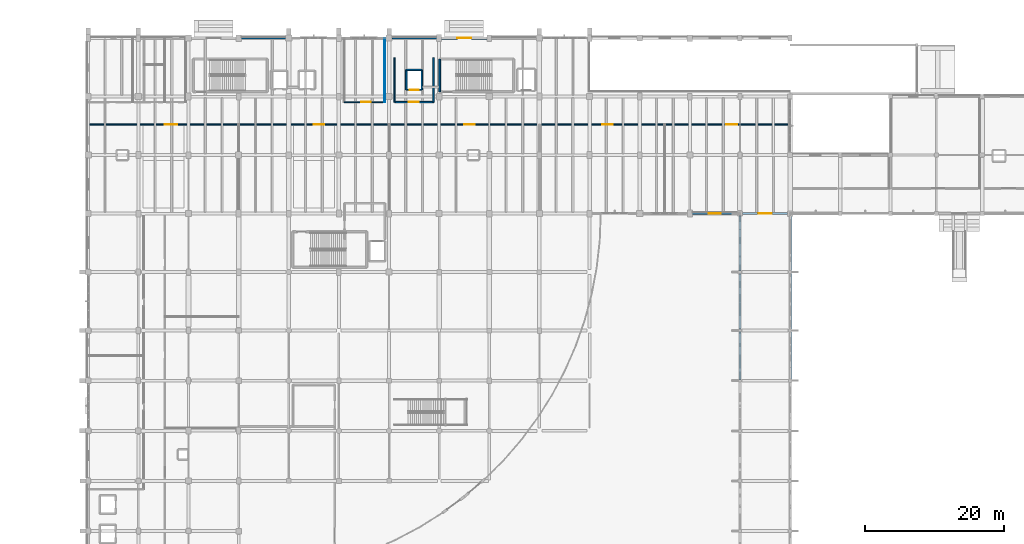
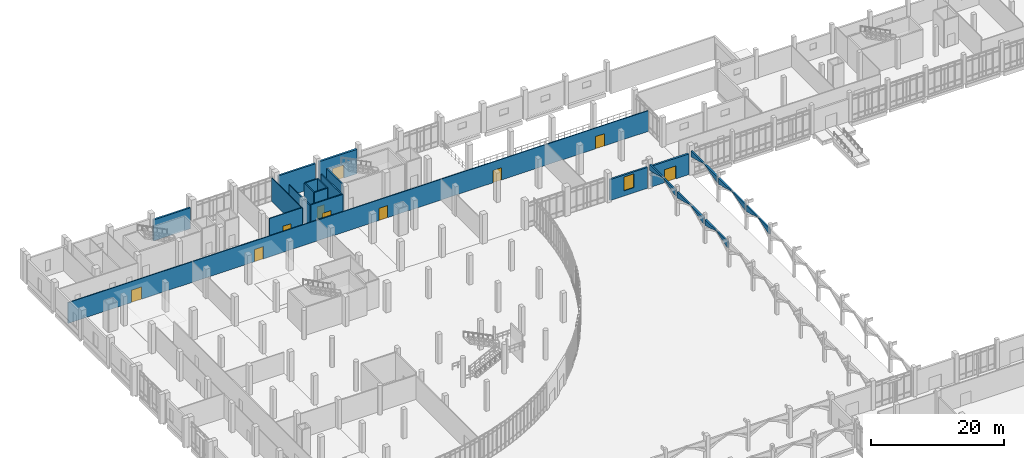
# One storey, part 94 of 110: 22 walls, 10 doors, 1 window, 11 openings.
"""IFC4 building model written with IfcOpenShell, lengths in metres."""

from ifc_helpers import new_model, si_unit, direction, frame, frame_2d, origin, place, context, subcontext, project, spatial, polyline, rectangle, outline, extrude, material, layer, layer_set, type_object, element, fill, save


model = new_model("IFC4")

# Units and contexts
model_context = context("Model", 3, precision=1e-05, world=origin(), true_north=direction((0.0, 1.0)))
body_context = subcontext(model_context, "Body", "Model", "MODEL_VIEW")
ifc_project = project(units=[si_unit("LENGTHUNIT", "METRE"), si_unit("AREAUNIT", "SQUARE_METRE"), si_unit("VOLUMEUNIT", "CUBIC_METRE"), si_unit("PLANEANGLEUNIT", "RADIAN"), si_unit("MASSUNIT", "GRAM", prefix="KILO")], contexts=[model_context])

# Site, building, storey
site_placement = place(None, origin())
site = spatial("IfcSite", under=ifc_project, at=site_placement, CompositionType="ELEMENT")
building_placement = place(site_placement, origin())
building = spatial("IfcBuilding", under=site, at=building_placement, Name="Kalluvel Institute of Natural Sciences", CompositionType="ELEMENT")
storey_placement = place(building_placement, origin())
storey = spatial("IfcBuildingStorey", under=building, at=storey_placement, Name="L00", CompositionType="ELEMENT", Elevation=0.0)

# Walls
ifc_material_1 = material(Name="Concrete M40", Category="concrete")
ifc_layer_1 = layer(ifc_material_1, 0.25)
ifc_layer_set_1 = layer_set([ifc_layer_1], Name="Concrete M40")
wall_type_1 = type_object("IfcWallType", Name="WL-CORE-250", PredefinedType="SHEAR", material=ifc_layer_set_1)
wall_1_placement = place(storey_placement, frame((64.485107421875, 124.985107421875, 0.0), z_axis=(0.0, 0.0, 1.0), x_axis=(0.0, -1.0, 0.0)))
element("IfcWall", 1, at=wall_1_placement, inside=storey, type_object=wall_type_1, Name="ST2 L00 core wall W", PredefinedType="SHEAR", context=body_context, shape_type="SweptSolid", body=[
    extrude(rectangle(XDim=4.7001953125, YDim=0.25, at=frame_2d((2.35009765625, 0.0))), origin(), (0.0, 0.0, 1.0), 5.074951171875),
])
ifc_material_2 = material(Name="Sadarahalli Grey Granite Ashlar Concrete M40", Category="masonry")
ifc_layer_2 = layer(ifc_material_2, 0.280029296875)
ifc_layer_set_2 = layer_set([ifc_layer_2], Name="Sadarahalli Grey Granite Ashlar Concrete M40")
wall_type_2 = type_object("IfcWallType", Name="WL-EXT-280", PredefinedType="SOLIDWALL", material=ifc_layer_set_2)
wall_2_placement = place(storey_placement, frame((107.60009765625, 78.965087890625, 3.300048828125), z_axis=(0.0, 0.0, 1.0), x_axis=(0.0, 1.0, 0.0)))
element("IfcWall", 2, at=wall_2_placement, inside=storey, type_object=wall_type_2, Name="Gothic cloister pointed-lancet arch spandrel 31", PredefinedType="SOLIDWALL", context=body_context, shape_type="SweptSolid", body=[
    extrude(outline(polyline([(0.0, 0.0), (1.77978515625, 0.52001953125), (3.422607421875, 1.06005859375), (5.065185546875, 0.52001953125), (6.844970703125, 0.0), (6.844970703125, 1.119873046875), (0.0, 1.119873046875), (0.0, 0.0)])), frame((0.0, 0.14013671875, 0.0), z_axis=(0.0, -1.0, 0.0), x_axis=(1.0, 0.0, 0.0)), (0.0, 0.0, 1.0), 0.280029296875),
])
wall_3_placement = place(storey_placement, frame((114.800048828125, 79.014892578125, 3.300048828125), z_axis=(0.0, 0.0, 1.0), x_axis=(0.0, 1.0, 0.0)))
element("IfcWall", 3, at=wall_3_placement, inside=storey, type_object=wall_type_2, Name="Gothic cloister pointed-lancet arch spandrel 32", PredefinedType="SOLIDWALL", context=body_context, shape_type="SweptSolid", body=[
    extrude(outline(polyline([(0.0, 0.0), (1.773193359375, 0.52001953125), (3.409912109375, 1.06005859375), (5.046875, 0.52001953125), (6.820068359375, 0.0), (6.820068359375, 1.119873046875), (0.0, 1.119873046875), (0.0, 0.0)])), frame((0.0, 0.14013671875, 0.0), z_axis=(0.0, -1.0, 0.0), x_axis=(1.0, 0.0, 0.0)), (0.0, 0.0, 1.0), 0.280029296875),
])
wall_4_placement = place(storey_placement, frame((107.60009765625, 86.18994140625, 3.300048828125), z_axis=(0.0, 0.0, 1.0), x_axis=(0.0, 1.0, 0.0)))
element("IfcWall", 4, at=wall_4_placement, inside=storey, type_object=wall_type_2, Name="Gothic cloister pointed-lancet arch spandrel 33", PredefinedType="SOLIDWALL", context=body_context, shape_type="SweptSolid", body=[
    extrude(outline(polyline([(0.0, 0.0), (2.07861328125, 0.52001953125), (3.99755859375, 1.06005859375), (5.916259765625, 0.52001953125), (7.9951171875, 0.0), (7.9951171875, 1.119873046875), (0.0, 1.119873046875), (0.0, 0.0)])), frame((0.0, 0.14013671875, 0.0), z_axis=(0.0, -1.0, 0.0), x_axis=(1.0, 0.0, 0.0)), (0.0, 0.0, 1.0), 0.280029296875),
])
wall_5_placement = place(storey_placement, frame((114.800048828125, 86.1650390625, 3.300048828125), z_axis=(0.0, 0.0, 1.0), x_axis=(0.0, 1.0, 0.0)))
element("IfcWall", 5, at=wall_5_placement, inside=storey, type_object=wall_type_2, Name="Gothic cloister pointed-lancet arch spandrel 34", PredefinedType="SOLIDWALL", context=body_context, shape_type="SweptSolid", body=[
    extrude(outline(polyline([(0.0, 0.0), (2.091796875, 0.52001953125), (4.0224609375, 1.06005859375), (5.953369140625, 0.52001953125), (8.044921875, 0.0), (8.044921875, 1.119873046875), (0.0, 1.119873046875), (0.0, 0.0)])), frame((0.0, 0.14013671875, 0.0), z_axis=(0.0, -1.0, 0.0), x_axis=(1.0, 0.0, 0.0)), (0.0, 0.0, 1.0), 0.280029296875),
])
for number, where, z_axis, x_axis, name in (
    (6, (107.60009765625, 94.614990234375, 3.300048828125), (0.0, 0.0, 1.0), (0.0, 1.0, 0.0), "Gothic cloister pointed-lancet arch spandrel 35"),
    (7, (114.800048828125, 94.590087890625, 3.300048828125), (0.0, 0.0, 1.0), (0.0, 1.0, 0.0), "Gothic cloister pointed-lancet arch spandrel 36"),
):
    element("IfcWall", number, at=place(storey_placement, frame(where, z_axis=z_axis, x_axis=x_axis)), inside=storey, type_object=wall_type_2, Name=name, PredefinedType="SOLIDWALL", context=body_context, shape_type="SweptSolid", body=[
        extrude(outline(polyline([(0.0, 0.0), (2.039794921875, 0.52001953125), (3.922607421875, 1.06005859375), (5.805419921875, 0.52001953125), (7.844970703125, 0.0), (7.844970703125, 1.119873046875), (0.0, 1.119873046875), (0.0, 0.0)])), frame((0.0, 0.14013671875, 0.0), z_axis=(0.0, -1.0, 0.0), x_axis=(1.0, 0.0, 0.0)), (0.0, 0.0, 1.0), 0.280029296875),
    ])

# Wall, opening, window
ifc_layer_3 = layer(ifc_material_2, 0.300048828125)
ifc_layer_set_3 = layer_set([ifc_layer_3], Name="Sadarahalli Grey Granite Ashlar Concrete M40")
wall_type_3 = type_object("IfcWallType", Name="WL-EXT-300", PredefinedType="SOLIDWALL", material=ifc_layer_set_3)
wall_6_placement = place(storey_placement, frame((100.72998046875, 102.800048828125, 0.0), z_axis=(0.0, 0.0, 1.0), x_axis=(1.0, 0.0, 0.0)))
wall_6 = element("IfcWall", 8, at=wall_6_placement, inside=storey, type_object=wall_type_3, Name="L00 Sadarahalli granite exterior wall WL-EXT-L00-0012", PredefinedType="SOLIDWALL", context=body_context, shape_type="SweptSolid", body=[
    extrude(rectangle(XDim=6.51513671875, YDim=0.300048828125, at=frame_2d((3.257568359375, 0.0))), origin(), (0.0, 0.0, 1.0), 3.85498046875),
])
opening_1_placement = place(wall_6_placement, frame((2.407470703125, 0.0, 0.949951171875)))
opening_1 = element("IfcOpeningElement", 9, at=opening_1_placement, cuts=wall_6, Name="Opening W-19", PredefinedType="OPENING", context=body_context, shape_type="SweptSolid", body=[
    extrude(rectangle(XDim=1.699951171875, YDim=2.550048828125, at=frame_2d((0.85009765625, 1.27490234375))), frame((0.0, 0.159912109375, 0.0), z_axis=(0.0, -1.0, 0.0), x_axis=(1.0, 0.0, 0.0)), (0.0, 0.0, 1.0), 0.320068359375),
])
ifc_material_3 = material(Name="Solar-Control Low-E Laminated Glass", Category="glass")
window_type = type_object("IfcWindowType", Name="WN-LAN-170x255", PartitioningType="SINGLE_PANEL", PredefinedType="WINDOW", material=ifc_material_3)
window_placement = place(opening_1_placement, origin())
window = element("IfcWindow", 10, at=window_placement, inside=storey, type_object=window_type, Name="L00 Gothic lancet window 7", OverallHeight=2.550048828125, OverallWidth=1.699951171875, PartitioningType="SINGLE_PANEL", PredefinedType="WINDOW", context=body_context, shape_type="SweptSolid", body=[
    extrude(rectangle(XDim=1.699951171875, YDim=2.550048828125, at=frame_2d((0.85009765625, 1.27490234375))), frame((0.0, 0.030029296875, 0.0), z_axis=(0.0, -1.0, 0.0), x_axis=(1.0, 0.0, 0.0)), (0.0, 0.0, 1.0), 0.06005859375),
])
fill(opening_1, window)

# Walls
ifc_layer_4 = layer(ifc_material_2, 0.320068359375)
ifc_layer_set_4 = layer_set([ifc_layer_4], Name="Sadarahalli Grey Granite Ashlar Concrete M40")
wall_type_4 = type_object("IfcWallType", Name="WL-EXT-320", PredefinedType="SOLIDWALL", material=ifc_layer_set_4)
wall_7_placement = place(storey_placement, frame((35.955078125, 128.0, 0.0), z_axis=(0.0, 0.0, 1.0), x_axis=(1.0, 0.0, 0.0)))
element("IfcWall", 11, at=wall_7_placement, inside=storey, type_object=wall_type_4, Name="L00 Sadarahalli granite exterior wall WL-EXT-L00-0004", PredefinedType="SOLIDWALL", context=body_context, shape_type="SweptSolid", body=[
    extrude(rectangle(XDim=6.4150390625, YDim=0.320068359375, at=frame_2d((3.20751953125, 0.0))), origin(), (0.0, 0.0, 1.0), 3.85498046875),
])
wall_8_placement = place(storey_placement, frame((57.6298828125, 128.0, 0.0), z_axis=(0.0, 0.0, 1.0), x_axis=(1.0, 0.0, 0.0)))
element("IfcWall", 12, at=wall_8_placement, inside=storey, type_object=wall_type_4, Name="L00 Sadarahalli granite exterior wall WL-EXT-L00-0005", PredefinedType="SOLIDWALL", context=body_context, shape_type="SweptSolid", body=[
    extrude(rectangle(XDim=6.440185546875, YDim=0.320068359375, at=frame_2d((3.22021484375, 0.0))), origin(), (0.0, 0.0, 1.0), 4.35498046875),
])

# Wall, opening, door
wall_9_placement = place(storey_placement, frame((107.955078125, 102.800048828125, 0.0), z_axis=(0.0, 0.0, 1.0), x_axis=(1.0, 0.0, 0.0)))
wall_9 = element("IfcWall", 13, at=wall_9_placement, inside=storey, type_object=wall_type_4, Name="L00 Sadarahalli granite exterior wall WL-EXT-L00-0013", PredefinedType="SOLIDWALL", context=body_context, shape_type="SweptSolid", body=[
    extrude(rectangle(XDim=6.46484375, YDim=0.320068359375, at=frame_2d((3.232421875, 0.0))), origin(), (0.0, 0.0, 1.0), 3.81494140625),
])
opening_2_placement = place(wall_9_placement, frame((2.232421875, 0.0, 0.0)))
opening_2 = element("IfcOpeningElement", 14, at=opening_2_placement, cuts=wall_9, Name="Opening E12", PredefinedType="OPENING", context=body_context, shape_type="SweptSolid", body=[
    extrude(rectangle(XDim=2.0, YDim=2.39990234375, at=frame_2d((1.0, 1.199951171875))), frame((0.0, 0.169921875, 0.0), z_axis=(0.0, -1.0, 0.0), x_axis=(1.0, 0.0, 0.0)), (0.0, 0.0, 1.0), 0.340087890625),
])
ifc_material_4 = material(Name="Aluminium AW-6063 T6", Category="aluminium")
door_type_1 = type_object("IfcDoorType", Name="DR-EXT-2000", OperationType="NOTDEFINED", PredefinedType="DOOR", material=ifc_material_4)
door_1_placement = place(opening_2_placement, origin())
door_1 = element("IfcDoor", 15, at=door_1_placement, inside=storey, type_object=door_type_1, Name="East Cloister North Entrance Door E12", OperationType="DOUBLE_DOOR_SINGLE_SWING", OverallHeight=2.39990234375, OverallWidth=2.0, PredefinedType="DOOR", context=body_context, shape_type="SweptSolid", body=[
    extrude(rectangle(XDim=2.0, YDim=2.39990234375, at=frame_2d((1.0, 1.199951171875))), frame((0.0, 0.02490234375, 0.0), z_axis=(0.0, -1.0, 0.0), x_axis=(1.0, 0.0, 0.0)), (0.0, 0.0, 1.0), 0.050048828125),
])
fill(opening_2, door_1)

ifc_layer_5 = layer(ifc_material_2, 0.360107421875)
ifc_layer_set_5 = layer_set([ifc_layer_5], Name="Sadarahalli Grey Granite Ashlar Concrete M40")
wall_type_5 = type_object("IfcWallType", Name="WL-EXT-360", PredefinedType="SOLIDWALL", material=ifc_layer_set_5)
wall_10_placement = place(storey_placement, frame((64.72998046875, 128.0, 0.0), z_axis=(0.0, 0.0, 1.0), x_axis=(1.0, 0.0, 0.0)))
wall_10 = element("IfcWall", 16, at=wall_10_placement, inside=storey, type_object=wall_type_5, Name="L00 Sadarahalli granite exterior wall WL-EXT-L00-0006", PredefinedType="SOLIDWALL", context=body_context, shape_type="SweptSolid", body=[
    extrude(rectangle(XDim=6.56494140625, YDim=0.360107421875, at=frame_2d((3.282470703125, 0.0))), origin(), (0.0, 0.0, 1.0), 4.47998046875),
])
opening_3_placement = place(wall_10_placement, frame((2.282470703125, 0.0, 0.0)))
opening_3 = element("IfcOpeningElement", 17, at=opening_3_placement, cuts=wall_10, Name="Opening E2", PredefinedType="OPENING", context=body_context, shape_type="SweptSolid", body=[
    extrude(rectangle(XDim=2.0, YDim=2.39990234375, at=frame_2d((1.0, 1.199951171875))), frame((0.0, 0.18994140625, 0.0), z_axis=(0.0, -1.0, 0.0), x_axis=(1.0, 0.0, 0.0)), (0.0, 0.0, 1.0), 0.380126953125),
])
door_2_placement = place(opening_3_placement, origin())
door_2 = element("IfcDoor", 18, at=door_2_placement, inside=storey, type_object=door_type_1, Name="Pedestrian exit door E2", OperationType="DOUBLE_DOOR_SINGLE_SWING", OverallHeight=2.39990234375, OverallWidth=2.0, PredefinedType="DOOR", context=body_context, shape_type="SweptSolid", body=[
    extrude(rectangle(XDim=2.0, YDim=2.39990234375, at=frame_2d((1.0, 1.199951171875))), frame((0.0, 0.02490234375, 0.0), z_axis=(0.0, -1.0, 0.0), x_axis=(1.0, 0.0, 0.0)), (0.0, 0.0, 1.0), 0.050048828125),
])
fill(opening_3, door_2)

# Wall
ifc_material_5 = material(Name="Autoclaved Aerated Concrete Masonry Block", Category="masonry")
ifc_layer_6 = layer(ifc_material_5, 0.179931640625)
ifc_layer_set_6 = layer_set([ifc_layer_6], Name="Autoclaved Aerated Concrete Masonry Block")
wall_type_6 = type_object("IfcWallType", Name="WL-FIRE-180", PredefinedType="SOLIDWALL", material=ifc_layer_set_6)
wall_11_placement = place(storey_placement, frame((58.0, 118.800048828125, 0.0), z_axis=(0.0, 0.0, 1.0), x_axis=(0.0, 1.0, 0.0)))
element("IfcWall", 19, at=wall_11_placement, inside=storey, type_object=wall_type_6, Name="L00 interior fire wall WL-INT-L00-0028", PredefinedType="SOLIDWALL", context=body_context, shape_type="SweptSolid", body=[
    extrude(rectangle(XDim=6.39990234375, YDim=0.179931640625, at=frame_2d((3.199951171875, 0.0))), origin(), (0.0, 0.0, 1.0), 4.260009765625),
])

# Wall, opening, door
ifc_layer_7 = layer(ifc_material_5, 0.199951171875)
ifc_layer_set_7 = layer_set([ifc_layer_7], Name="Autoclaved Aerated Concrete Masonry Block")
wall_type_7 = type_object("IfcWallType", Name="WL-FIRE-200", PredefinedType="SOLIDWALL", material=ifc_layer_set_7)
wall_12_placement = place(storey_placement, frame((58.0, 118.800048828125, 0.0), z_axis=(0.0, 0.0, 1.0), x_axis=(1.0, 0.0, 0.0)))
wall_12 = element("IfcWall", 20, at=wall_12_placement, inside=storey, type_object=wall_type_7, Name="L00 interior fire wall WL-INT-L00-0027", PredefinedType="SOLIDWALL", context=body_context, shape_type="SweptSolid", body=[
    extrude(rectangle(XDim=5.60009765625, YDim=0.199951171875, at=frame_2d((2.800048828125, 0.0))), origin(), (0.0, 0.0, 1.0), 4.43994140625),
])
opening_4_placement = place(wall_12_placement, frame((2.0, 0.0, 0.0)))
opening_4 = element("IfcOpeningElement", 21, at=opening_4_placement, cuts=wall_12, Name="Opening D-062", PredefinedType="OPENING", context=body_context, shape_type="SweptSolid", body=[
    extrude(rectangle(XDim=1.5, YDim=2.199951171875, at=frame_2d((0.75, 1.10009765625))), frame((0.0, 0.10986328125, 0.0), z_axis=(0.0, -1.0, 0.0), x_axis=(1.0, 0.0, 0.0)), (0.0, 0.0, 1.0), 0.219970703125),
])
ifc_material_6 = material(Name="Galvanized Fire-Rated Steel", Category="steel")
door_type_2 = type_object("IfcDoorType", Name="DR-FD60-1500", OperationType="NOTDEFINED", PredefinedType="DOOR", material=ifc_material_6)
door_3_placement = place(opening_4_placement, origin())
door_3 = element("IfcDoor", 22, at=door_3_placement, inside=storey, type_object=door_type_2, Name="L00 FF1 door D-062", OperationType="DOUBLE_DOOR_SINGLE_SWING", OverallHeight=2.199951171875, OverallWidth=1.5, PredefinedType="DOOR", context=body_context, shape_type="SweptSolid", body=[
    extrude(rectangle(XDim=1.5, YDim=2.199951171875, at=frame_2d((0.75, 1.10009765625))), frame((0.0, 0.02490234375, 0.0), z_axis=(0.0, -1.0, 0.0), x_axis=(1.0, 0.0, 0.0)), (0.0, 0.0, 1.0), 0.050048828125),
])
fill(opening_4, door_3)

# Walls
wall_13_placement = place(storey_placement, frame((63.60009765625, 118.800048828125, 0.0), z_axis=(0.0, 0.0, 1.0), x_axis=(0.0, 1.0, 0.0)))
element("IfcWall", 23, at=wall_13_placement, inside=storey, type_object=wall_type_7, Name="L00 interior fire wall WL-INT-L00-0029", PredefinedType="SOLIDWALL", context=body_context, shape_type="SweptSolid", body=[
    extrude(rectangle(XDim=6.39990234375, YDim=0.199951171875, at=frame_2d((3.199951171875, 0.0))), origin(), (0.0, 0.0, 1.0), 4.260009765625),
])
ifc_material_7 = material(Name="Acoustic Gypsum Twin-Stud Partition", Category="gypsum")
ifc_layer_8 = layer(ifc_material_7, 0.1201171875)
ifc_layer_set_8 = layer_set([ifc_layer_8], Name="Acoustic Gypsum Twin-Stud Partition")
wall_type_8 = type_object("IfcWallType", Name="WL-PART-120", PredefinedType="PARTITIONING", material=ifc_layer_set_8)
wall_14_placement = place(storey_placement, frame((56.60009765625, 118.800048828125, 0.0), z_axis=(0.0, 0.0, 1.0), x_axis=(0.0, 1.0, 0.0)))
element("IfcWall", 24, at=wall_14_placement, inside=storey, type_object=wall_type_8, Name="L00 interior partition wall WL-INT-L00-0041", PredefinedType="PARTITIONING", context=body_context, shape_type="SweptSolid", body=[
    extrude(rectangle(XDim=9.199951171875, YDim=0.1201171875, at=frame_2d((4.60009765625, 0.0))), origin(), (0.0, 0.0, 1.0), 4.31005859375),
])

# Wall, opening, door
ifc_layer_9 = layer(ifc_material_5, 0.159912109375)
ifc_layer_set_9 = layer_set([ifc_layer_9], Name="Autoclaved Aerated Concrete Masonry Block")
wall_type_9 = type_object("IfcWallType", Name="WL-PART-160", PredefinedType="PARTITIONING", material=ifc_layer_set_9)
wall_15_placement = place(storey_placement, frame((50.800048828125, 118.800048828125, 0.0), z_axis=(0.0, 0.0, 1.0), x_axis=(1.0, 0.0, 0.0)))
wall_15 = element("IfcWall", 25, at=wall_15_placement, inside=storey, type_object=wall_type_9, Name="L00 interior partition wall WL-INT-L00-0039", PredefinedType="PARTITIONING", context=body_context, shape_type="SweptSolid", body=[
    extrude(rectangle(XDim=5.800048828125, YDim=0.159912109375, at=frame_2d((2.89990234375, 0.0))), origin(), (0.0, 0.0, 1.0), 4.43994140625),
])
opening_5_placement = place(wall_15_placement, frame((2.39990234375, 0.0, 0.0)))
opening_5 = element("IfcOpeningElement", 26, at=opening_5_placement, cuts=wall_15, Name="Opening D-067", PredefinedType="OPENING", context=body_context, shape_type="SweptSolid", body=[
    extrude(rectangle(XDim=1.35009765625, YDim=2.199951171875, at=frame_2d((0.675048828125, 1.10009765625))), frame((0.0, 0.08984375, 0.0), z_axis=(0.0, -1.0, 0.0), x_axis=(1.0, 0.0, 0.0)), (0.0, 0.0, 1.0), 0.179931640625),
])
door_type_3 = type_object("IfcDoorType", Name="DR-INT-1350", OperationType="NOTDEFINED", PredefinedType="DOOR", material=ifc_material_4)
door_4_placement = place(opening_5_placement, origin())
door_4 = element("IfcDoor", 27, at=door_4_placement, inside=storey, type_object=door_type_3, Name="L00 North Write-Up door D-067", OperationType="SINGLE_SWING_RIGHT", OverallHeight=2.199951171875, OverallWidth=1.35009765625, PredefinedType="DOOR", context=body_context, shape_type="SweptSolid", body=[
    extrude(rectangle(XDim=1.35009765625, YDim=2.199951171875, at=frame_2d((0.675048828125, 1.10009765625))), frame((0.0, 0.02490234375, 0.0), z_axis=(0.0, -1.0, 0.0), x_axis=(1.0, 0.0, 0.0)), (0.0, 0.0, 1.0), 0.050048828125),
])
fill(opening_5, door_4)

# Wall, openings, doors
wall_16_placement = place(storey_placement, frame((14.0, 115.60009765625, 0.0), z_axis=(0.0, 0.0, 1.0), x_axis=(1.0, 0.0, 0.0)))
wall_16 = element("IfcWall", 28, at=wall_16_placement, inside=storey, type_object=wall_type_9, Name="L00 interior partition wall WL-INT-L00-0042", PredefinedType="PARTITIONING", context=body_context, shape_type="SweptSolid", body=[
    extrude(rectangle(XDim=100.800048828125, YDim=0.159912109375, at=frame_2d((50.39990234375, 0.0))), origin(), (0.0, 0.0, 1.0), 3.820068359375),
])
opening_6_placement = place(wall_16_placement, frame((11.0, 0.0, 0.0)))
opening_6 = element("IfcOpeningElement", 29, at=opening_6_placement, cuts=wall_16, Name="Opening D-068", PredefinedType="OPENING", context=body_context, shape_type="SweptSolid", body=[
    extrude(rectangle(XDim=1.75, YDim=2.25, at=frame_2d((0.875, 1.125))), frame((0.0, 0.08984375, 0.0), z_axis=(0.0, -1.0, 0.0), x_axis=(1.0, 0.0, 0.0)), (0.0, 0.0, 1.0), 0.179931640625),
])
opening_7_placement = place(wall_16_placement, frame((32.39990234375, 0.0, 0.0)))
opening_7 = element("IfcOpeningElement", 30, at=opening_7_placement, cuts=wall_16, Name="Opening D-069", PredefinedType="OPENING", context=body_context, shape_type="SweptSolid", body=[
    extrude(rectangle(XDim=1.5, YDim=2.25, at=frame_2d((0.75, 1.125))), frame((0.0, 0.08984375, 0.0), z_axis=(0.0, -1.0, 0.0), x_axis=(1.0, 0.0, 0.0)), (0.0, 0.0, 1.0), 0.179931640625),
])
opening_8_placement = place(wall_16_placement, frame((54.0, 0.0, 0.0)))
opening_8 = element("IfcOpeningElement", 31, at=opening_8_placement, cuts=wall_16, Name="Opening D-070", PredefinedType="OPENING", context=body_context, shape_type="SweptSolid", body=[
    extrude(rectangle(XDim=1.5, YDim=2.25, at=frame_2d((0.75, 1.125))), frame((0.0, 0.08984375, 0.0), z_axis=(0.0, -1.0, 0.0), x_axis=(1.0, 0.0, 0.0)), (0.0, 0.0, 1.0), 0.179931640625),
])
opening_9_placement = place(wall_16_placement, frame((73.800048828125, 0.0, 0.0)))
opening_9 = element("IfcOpeningElement", 32, at=opening_9_placement, cuts=wall_16, Name="Opening D-071", PredefinedType="OPENING", context=body_context, shape_type="SweptSolid", body=[
    extrude(rectangle(XDim=1.5, YDim=2.25, at=frame_2d((0.75, 1.125))), frame((0.0, 0.08984375, 0.0), z_axis=(0.0, -1.0, 0.0), x_axis=(1.0, 0.0, 0.0)), (0.0, 0.0, 1.0), 0.179931640625),
])
opening_10_placement = place(wall_16_placement, frame((91.60009765625, 0.0, 0.0)))
opening_10 = element("IfcOpeningElement", 33, at=opening_10_placement, cuts=wall_16, Name="Opening D-072", PredefinedType="OPENING", context=body_context, shape_type="SweptSolid", body=[
    extrude(rectangle(XDim=1.60009765625, YDim=2.25, at=frame_2d((0.800048828125, 1.125))), frame((0.0, 0.08984375, 0.0), z_axis=(0.0, -1.0, 0.0), x_axis=(1.0, 0.0, 0.0)), (0.0, 0.0, 1.0), 0.179931640625),
])
door_type_4 = type_object("IfcDoorType", Name="DR-DBL-1600", OperationType="NOTDEFINED", PredefinedType="DOOR", material=ifc_material_4)
door_5_placement = place(opening_10_placement, origin())
door_5 = element("IfcDoor", 34, at=door_5_placement, inside=storey, type_object=door_type_4, Name="Specimen Preparation and Cryo-Preservation Suite door D-072", OperationType="DOUBLE_DOOR_SINGLE_SWING", OverallHeight=2.25, OverallWidth=1.60009765625, PredefinedType="DOOR", context=body_context, shape_type="SweptSolid", body=[
    extrude(rectangle(XDim=1.60009765625, YDim=2.25, at=frame_2d((0.800048828125, 1.125))), frame((0.0, 0.02490234375, 0.0), z_axis=(0.0, -1.0, 0.0), x_axis=(1.0, 0.0, 0.0)), (0.0, 0.0, 1.0), 0.050048828125),
])
fill(opening_10, door_5)
door_type_5 = type_object("IfcDoorType", Name="DR-DBL-1750", OperationType="NOTDEFINED", PredefinedType="DOOR", material=ifc_material_4)
door_6_placement = place(opening_6_placement, origin())
door_6 = element("IfcDoor", 35, at=door_6_placement, inside=storey, type_object=door_type_5, Name="Central Chemical Receiving and Glassware Sterilisation Suite door D-068", OperationType="DOUBLE_DOOR_SINGLE_SWING", OverallHeight=2.25, OverallWidth=1.75, PredefinedType="DOOR", context=body_context, shape_type="SweptSolid", body=[
    extrude(rectangle(XDim=1.75, YDim=2.25, at=frame_2d((0.875, 1.125))), frame((0.0, 0.02490234375, 0.0), z_axis=(0.0, -1.0, 0.0), x_axis=(1.0, 0.0, 0.0)), (0.0, 0.0, 1.0), 0.050048828125),
])
fill(opening_6, door_6)
door_type_6 = type_object("IfcDoorType", Name="DR-LAB-1500", OperationType="NOTDEFINED", PredefinedType="DOOR", material=ifc_material_4)
door_7_placement = place(opening_7_placement, origin())
door_7 = element("IfcDoor", 36, at=door_7_placement, inside=storey, type_object=door_type_6, Name="Introductory Biosciences Teaching Laboratory door D-069", OperationType="DOUBLE_DOOR_SINGLE_SWING", OverallHeight=2.25, OverallWidth=1.5, PredefinedType="DOOR", context=body_context, shape_type="SweptSolid", body=[
    extrude(rectangle(XDim=1.5, YDim=2.25, at=frame_2d((0.75, 1.125))), frame((0.0, 0.02490234375, 0.0), z_axis=(0.0, -1.0, 0.0), x_axis=(1.0, 0.0, 0.0)), (0.0, 0.0, 1.0), 0.050048828125),
])
fill(opening_7, door_7)
door_8_placement = place(opening_8_placement, origin())
door_8 = element("IfcDoor", 37, at=door_8_placement, inside=storey, type_object=door_type_6, Name="General Earth and Monsoon Hydrometeorology Laboratory door D-070", OperationType="DOUBLE_DOOR_SINGLE_SWING", OverallHeight=2.25, OverallWidth=1.5, PredefinedType="DOOR", context=body_context, shape_type="SweptSolid", body=[
    extrude(rectangle(XDim=1.5, YDim=2.25, at=frame_2d((0.75, 1.125))), frame((0.0, 0.02490234375, 0.0), z_axis=(0.0, -1.0, 0.0), x_axis=(1.0, 0.0, 0.0)), (0.0, 0.0, 1.0), 0.050048828125),
])
fill(opening_8, door_8)
door_9_placement = place(opening_9_placement, origin())
door_9 = element("IfcDoor", 38, at=door_9_placement, inside=storey, type_object=door_type_6, Name="Analytical Instrumentation Shared Laboratory door D-071", OperationType="DOUBLE_DOOR_SINGLE_SWING", OverallHeight=2.25, OverallWidth=1.5, PredefinedType="DOOR", context=body_context, shape_type="SweptSolid", body=[
    extrude(rectangle(XDim=1.5, YDim=2.25, at=frame_2d((0.75, 1.125))), frame((0.0, 0.02490234375, 0.0), z_axis=(0.0, -1.0, 0.0), x_axis=(1.0, 0.0, 0.0)), (0.0, 0.0, 1.0), 0.050048828125),
])
fill(opening_9, door_9)

# Wall, opening, door
ifc_layer_10 = layer(ifc_material_1, 0.219970703125)
ifc_layer_set_10 = layer_set([ifc_layer_10], Name="Concrete M40")
wall_type_10 = type_object("IfcWallType", Name="WL-SHAFT-220", PredefinedType="SHEAR", material=ifc_layer_set_10)
wall_17_placement = place(storey_placement, frame((59.669921875, 120.570068359375, 0.0), z_axis=(0.0, 0.0, 1.0), x_axis=(1.0, 0.0, 0.0)))
wall_17 = element("IfcWall", 39, at=wall_17_placement, inside=storey, type_object=wall_type_10, Name="LF3 L00 lift shaft wall", PredefinedType="SHEAR", context=body_context, shape_type="SweptSolid", body=[
    extrude(rectangle(XDim=2.260009765625, YDim=0.219970703125, at=frame_2d((1.1298828125, 0.0))), origin(), (0.0, 0.0, 1.0), 5.074951171875),
])
opening_11_placement = place(wall_17_placement, frame((0.47998046875, 0.0, 0.0)))
opening_11 = element("IfcOpeningElement", 40, at=opening_11_placement, cuts=wall_17, Name="Opening LD-022", PredefinedType="OPENING", context=body_context, shape_type="SweptSolid", body=[
    extrude(rectangle(XDim=1.300048828125, YDim=2.199951171875, at=frame_2d((0.64990234375, 1.10009765625))), frame((0.0, 0.119873046875, 0.0), z_axis=(0.0, -1.0, 0.0), x_axis=(1.0, 0.0, 0.0)), (0.0, 0.0, 1.0), 0.239990234375),
])
door_type_7 = type_object("IfcDoorType", Name="DR-LD-1300", OperationType="NOTDEFINED", PredefinedType="DOOR", material=ifc_material_6)
door_10_placement = place(opening_11_placement, origin())
door_10 = element("IfcDoor", 41, at=door_10_placement, inside=storey, type_object=door_type_7, Name="LF3 L00 sliding lift landing door LD-022", OperationType="DOUBLE_DOOR_SLIDING", OverallHeight=2.199951171875, OverallWidth=1.300048828125, PredefinedType="DOOR", context=body_context, shape_type="SweptSolid", body=[
    extrude(rectangle(XDim=1.300048828125, YDim=2.199951171875, at=frame_2d((0.64990234375, 1.10009765625))), frame((0.0, 0.02490234375, 0.0), z_axis=(0.0, -1.0, 0.0), x_axis=(1.0, 0.0, 0.0)), (0.0, 0.0, 1.0), 0.050048828125),
])
fill(opening_11, door_10)

# Walls
wall_18_placement = place(storey_placement, frame((61.929931640625, 120.570068359375, 0.0), z_axis=(0.0, 0.0, 1.0), x_axis=(0.0, 1.0, 0.0)))
element("IfcWall", 42, at=wall_18_placement, inside=storey, type_object=wall_type_10, Name="LF3 L00 lift shaft wall", PredefinedType="SHEAR", context=body_context, shape_type="SweptSolid", body=[
    extrude(rectangle(XDim=2.85986328125, YDim=0.219970703125, at=frame_2d((1.429931640625, 0.0))), origin(), (0.0, 0.0, 1.0), 5.074951171875),
])
wall_19_placement = place(storey_placement, frame((61.929931640625, 123.429931640625, 0.0), z_axis=(0.0, 0.0, 1.0), x_axis=(-1.0, 0.0, 0.0)))
element("IfcWall", 43, at=wall_19_placement, inside=storey, type_object=wall_type_10, Name="LF3 L00 lift shaft wall", PredefinedType="SHEAR", context=body_context, shape_type="SweptSolid", body=[
    extrude(rectangle(XDim=2.260009765625, YDim=0.219970703125, at=frame_2d((1.1298828125, 0.0))), origin(), (0.0, 0.0, 1.0), 5.074951171875),
])
wall_20_placement = place(storey_placement, frame((59.669921875, 123.429931640625, 0.0), z_axis=(0.0, 0.0, 1.0), x_axis=(0.0, -1.0, 0.0)))
element("IfcWall", 44, at=wall_20_placement, inside=storey, type_object=wall_type_10, Name="LF3 L00 lift shaft wall", PredefinedType="SHEAR", context=body_context, shape_type="SweptSolid", body=[
    extrude(rectangle(XDim=2.85986328125, YDim=0.219970703125, at=frame_2d((1.429931640625, 0.0))), origin(), (0.0, 0.0, 1.0), 5.074951171875),
])

save(model, "model.ifc")
